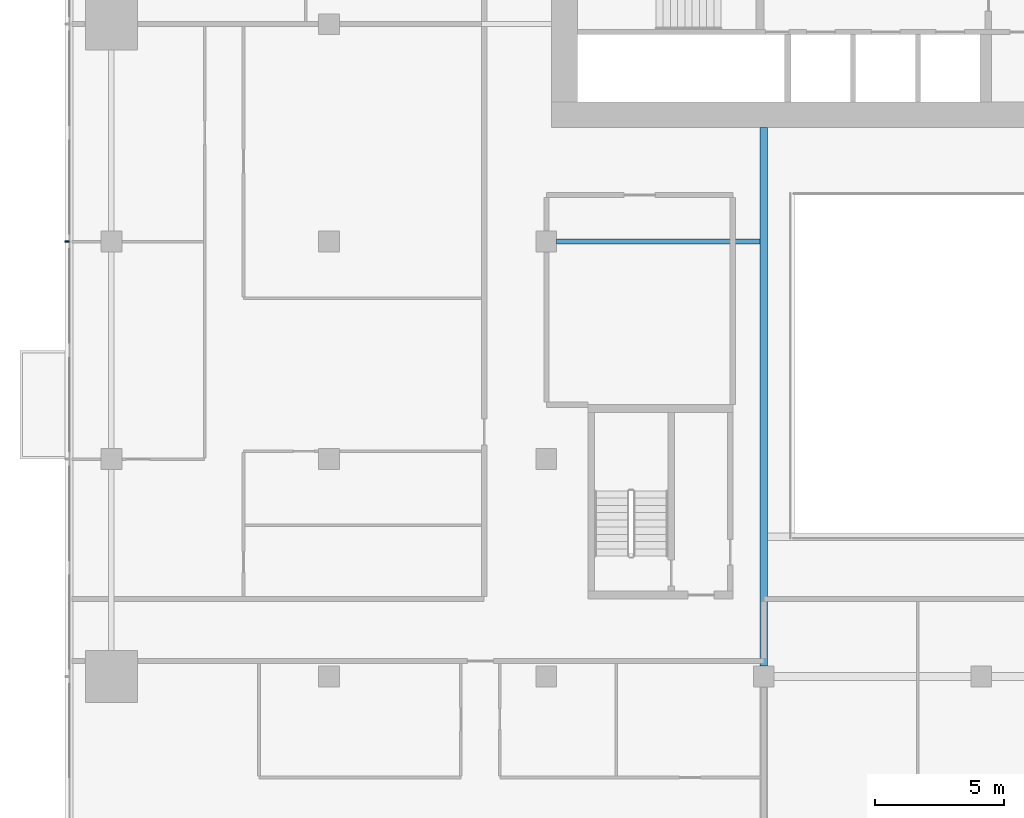
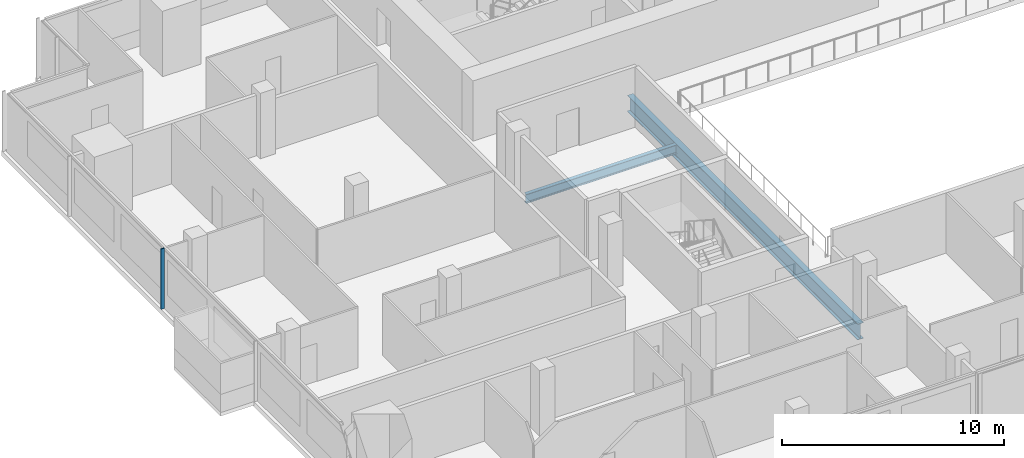
# One storey, part 4 of 27: 2 beams, 1 member, 1 element without a shape of its own.
"""IFC4 building model written with IfcOpenShell, lengths in metres."""

import ifcopenshell
import ifcopenshell.guid

model = None  # the IFC model being written
_history = None  # IfcOwnerHistory: only IFC2X3 demands one
_inside = {}  # id of a spatial element -> (the spatial element, [elements in it])
_under = {}  # id of a project, library or spatial element -> (it, [spatial elements below it])
_declared = {}  # id of a project -> (the project, [libraries it declares])
_typed = {}  # id of a type object -> (the type object, [elements of that type])
_made_of = {}  # id of a material, layer set ... -> (it, [elements and type objects made of it])


def new_model(schema):
    """Start an empty IFC model of exactly this schema.

    Asked for "IFC4X3", IfcOpenShell would pick the latest addendum, in which some entities
    have other attributes; the version numbers below select the first issue.
    IFC2X3 requires an IfcOwnerHistory on every rooted entity: one is made here for all.
    """
    global model, _history
    if schema == "IFC4X3":
        model = ifcopenshell.file(schema_version=(4, 3, 0, 0))
    else:
        model = ifcopenshell.file(schema=schema)
    _inside.clear()
    _under.clear()
    _declared.clear()
    _typed.clear()
    _made_of.clear()
    _history = None
    if model.schema == "IFC2X3":
        org = make("IfcOrganization", Name="unknown")
        user = make(
            "IfcPersonAndOrganization",
            ThePerson=make("IfcPerson", FamilyName="unknown"),
            TheOrganization=org,
        )
        app = make(
            "IfcApplication",
            ApplicationDeveloper=org,
            Version="unknown",
            ApplicationFullName="unknown",
            ApplicationIdentifier="unknown",
        )
        _history = make(
            "IfcOwnerHistory",
            OwningUser=user,
            OwningApplication=app,
            ChangeAction="ADDED",
            CreationDate=0,
        )
    return model


def make(cls, **values):
    """One entity of the class cls with the attributes given. An attribute that is None is left unset."""
    return model.create_entity(
        cls, **{name: value for name, value in values.items() if value is not None}
    )


def rooted(cls, **values):
    """An entity with a GlobalId (a new one), such as an element, a storey or a relation."""
    return make(cls, GlobalId=ifcopenshell.guid.new(), OwnerHistory=_history, **values)


def si_unit(unit_type, name, prefix=None):
    """IfcSIUnit, for example si_unit("LENGTHUNIT", "METRE", prefix="MILLI")."""
    return make("IfcSIUnit", UnitType=unit_type, Prefix=prefix, Name=name)


def assignment(units):
    """IfcUnitAssignment: the units of a project."""
    return None if units is None else make("IfcUnitAssignment", Units=units)


def point(xyz):
    """IfcCartesianPoint."""
    return None if xyz is None else make("IfcCartesianPoint", Coordinates=xyz)


def direction(xyz):
    """IfcDirection."""
    return None if xyz is None else make("IfcDirection", DirectionRatios=xyz)


def frame(location, z_axis=None, x_axis=None):
    """IfcAxis2Placement3D, a coordinate frame: its origin and axes. An axis left out is left unset."""
    return make(
        "IfcAxis2Placement3D",
        Location=point(location),
        Axis=direction(z_axis),
        RefDirection=direction(x_axis),
    )


def frame_2d(location, x_axis=None):
    """IfcAxis2Placement2D, a coordinate frame in the plane: its origin and x axis."""
    return make(
        "IfcAxis2Placement2D", Location=point(location), RefDirection=direction(x_axis)
    )


def origin():
    """The frame at (0, 0, 0) with its axes left unset."""
    return frame((0.0, 0.0, 0.0))


def origin_2d():
    """The frame at (0, 0) in the plane with its x axis left unset."""
    return frame_2d((0.0, 0.0))


def place(relative_to, where):
    """IfcLocalPlacement: puts the frame where relative to a parent placement (None: the world)."""
    return make(
        "IfcLocalPlacement", PlacementRelTo=relative_to, RelativePlacement=where
    )


def context(
    kind, dimensions, precision=None, world=None, true_north=None, identifier=None
):
    """IfcGeometricRepresentationContext, for example the 3D "Model" context."""
    return make(
        "IfcGeometricRepresentationContext",
        ContextIdentifier=identifier,
        ContextType=kind,
        CoordinateSpaceDimension=dimensions,
        Precision=precision,
        WorldCoordinateSystem=world,
        TrueNorth=true_north,
    )


def subcontext(parent, identifier, kind, view, scale=None):
    """IfcGeometricRepresentationSubContext, for example "Body" below "Model"."""
    return make(
        "IfcGeometricRepresentationSubContext",
        ContextIdentifier=identifier,
        ContextType=kind,
        ParentContext=parent,
        TargetScale=scale,
        TargetView=view,
    )


def project(units=None, contexts=None):
    """IfcProject with its units and contexts."""
    return rooted(
        "IfcProject",
        Name="project",
        RepresentationContexts=contexts,
        UnitsInContext=assignment(units),
    )


def spatial(cls, under=None, at=None, **own):
    """A site, building, storey or space (cls), placed at a placement, below another one or the project."""
    s = rooted(cls, ObjectPlacement=at, **own)
    if under is not None:
        _under.setdefault(under.id(), (under, []))[1].append(s)
    return s


def profile(cls, at=None, kind="AREA", **sizes):
    """A parametric profile (cls). Its sizes go by their IFC names, for example OverallWidth=200.0."""
    return make(cls, ProfileType=kind, Position=at, **sizes)


def rectangle(**sizes):
    """IfcRectangleProfileDef."""
    return profile("IfcRectangleProfileDef", **sizes)


def i_section(**sizes):
    """IfcIShapeProfileDef."""
    return profile("IfcIShapeProfileDef", **sizes)


def extrude(swept, where, along, depth):
    """IfcExtrudedAreaSolid: the profile swept, set in the frame where, extruded along a direction by depth."""
    return make(
        "IfcExtrudedAreaSolid",
        SweptArea=swept,
        Position=where,
        ExtrudedDirection=direction(along),
        Depth=depth,
    )


def shape(context_of_items, identifier, shape_type, items):
    """IfcShapeRepresentation: the items that make up one representation, for example the "Body"."""
    return make(
        "IfcShapeRepresentation",
        ContextOfItems=context_of_items,
        RepresentationIdentifier=identifier,
        RepresentationType=shape_type,
        Items=items,
    )


def material(Name=None, Category=None):
    """IfcMaterial."""
    return make("IfcMaterial", Name=Name, Category=Category)


def material_profile(
    of_material, cross_section, Name=None, Category=None, Priority=None
):
    """IfcMaterialProfile: a cross section and its material."""
    return make(
        "IfcMaterialProfile",
        Name=Name,
        Material=of_material,
        Profile=cross_section,
        Priority=Priority,
        Category=Category,
    )


def profile_set(profiles, Name=None, composite=None):
    """IfcMaterialProfileSet."""
    return make(
        "IfcMaterialProfileSet",
        Name=Name,
        MaterialProfiles=profiles,
        CompositeProfile=composite,
    )


def made_of(thing, what):
    """Note that an element or type object is made of a material, layer set ...; save() writes the relation."""
    if what is not None:
        _made_of.setdefault(what.id(), (what, []))[1].append(thing)
    return thing


def type_object(cls, material=None, **own):
    """A type object (cls), such as IfcWallType, which elements share."""
    return made_of(rooted(cls, **own), material)


def element(
    cls,
    number,
    at=None,
    inside=None,
    cuts=None,
    type_object=None,
    material=None,
    context=None,
    identifier="Body",
    shape_type=None,
    held_by="IfcProductDefinitionShape",
    body=None,
    shapes=None,
    **own,
):
    """One element of the class cls, such as IfcWall. Its Tag is "e" and its number.

    at: its placement. inside: the storey or other place that contains it. cuts: it is an
    opening in that element (IfcRelVoidsElement). A single representation is given by context,
    identifier, shape_type and body (its items); several are given by shapes. held_by: the class
    of the entity that holds the representations. save() writes the other relations.
    """
    e = rooted(cls, Tag="e%d" % number, ObjectPlacement=at, **own)
    if body is not None:
        shapes = [shape(context, identifier, shape_type, body)]
    if shapes is not None:
        e.Representation = make(held_by, Representations=shapes)
    if inside is not None:
        _inside.setdefault(inside.id(), (inside, []))[1].append(e)
    if cuts is not None:
        rooted(
            "IfcRelVoidsElement", RelatingBuildingElement=cuts, RelatedOpeningElement=e
        )
    if type_object is not None:
        _typed.setdefault(type_object.id(), (type_object, []))[1].append(e)
    return made_of(e, material)


def aggregate(whole, parts):
    """IfcRelAggregates: a whole, such as a stair, and the parts it consists of."""
    return rooted("IfcRelAggregates", RelatingObject=whole, RelatedObjects=parts)


def save(model, path):
    """Write the relations noted so far, then the file.

    IfcRelAggregates (storeys below a building ...), IfcRelContainedInSpatialStructure (elements
    in a storey), IfcRelDefinesByType, IfcRelAssociatesMaterial and IfcRelDeclares: one each for
    every whole, place, type object, material and project.
    """
    for whole, parts in _under.values():
        aggregate(whole, parts)
    for where, things in _inside.values():
        rooted(
            "IfcRelContainedInSpatialStructure",
            RelatedElements=things,
            RelatingStructure=where,
        )
    for kind, things in _typed.values():
        rooted("IfcRelDefinesByType", RelatedObjects=things, RelatingType=kind)
    for what, things in _made_of.values():
        rooted("IfcRelAssociatesMaterial", RelatedObjects=things, RelatingMaterial=what)
    for by, libraries in _declared.values():
        rooted("IfcRelDeclares", RelatingContext=by, RelatedDefinitions=libraries)
    model.write(path)


model = new_model("IFC4")

# Units and contexts
model_context = context("Model", 3, precision=1e-05, world=origin(), true_north=direction((0.0, 1.0)))
body_context = subcontext(model_context, "Body", "Model", "MODEL_VIEW")
ifc_project = project(units=[si_unit("LENGTHUNIT", "METRE"), si_unit("AREAUNIT", "SQUARE_METRE"), si_unit("VOLUMEUNIT", "CUBIC_METRE"), si_unit("PLANEANGLEUNIT", "RADIAN"), si_unit("MASSUNIT", "GRAM", prefix="KILO")], contexts=[model_context])

# Site, building, storey
site_placement = place(None, origin())
site = spatial("IfcSite", under=ifc_project, at=site_placement, CompositionType="ELEMENT")
building_placement = place(site_placement, origin())
building = spatial("IfcBuilding", under=site, at=building_placement, Name="Saffron Gate Tower", CompositionType="ELEMENT")
storey_placement = place(building_placement, frame((0.0, 0.0, 124.050048828125)))
storey = spatial("IfcBuildingStorey", under=building, at=storey_placement, Name="L29", CompositionType="ELEMENT", Elevation=124.050048828125)

# Beams
ifc_material_1 = material(Name="Structural steel S355", Category="steel")
ifc_material_profile_1 = material_profile(ifc_material_1, i_section(OverallWidth=0.199951171875, OverallDepth=0.5, WebThickness=0.01025390625, FlangeThickness=0.01611328125, FilletRadius=0.02099609375, at=origin_2d()))
ifc_profile_set_1 = profile_set([ifc_material_profile_1], Name="Structural steel S355")
beam_type_1 = type_object("IfcBeamType", Name="B10 IPE 500", PredefinedType="BEAM", material=ifc_profile_set_1)
beam_1_placement = place(storey_placement, frame((67.0, 57.0, -0.530029296875), z_axis=(1.0, 0.0, 0.0), x_axis=(0.0, 1.0, 0.0)))
element("IfcBeam", 1, at=beam_1_placement, inside=storey, type_object=beam_type_1, Name="B10 CORE TIE BEAM", PredefinedType="BEAM", context=body_context, shape_type="SweptSolid", body=[
    extrude(i_section(OverallWidth=0.199951171875, OverallDepth=0.5, WebThickness=0.01025390625, FlangeThickness=0.01611328125, FilletRadius=0.02099609375, at=origin_2d()), origin(), (0.0, 0.0, 1.0), 7.85009765625),
])
ifc_material_profile_2 = material_profile(ifc_material_1, i_section(OverallWidth=0.300048828125, OverallDepth=0.889892578125, WebThickness=0.01611328125, FlangeThickness=0.030029296875, FilletRadius=0.030029296875, at=origin_2d()))
ifc_profile_set_2 = profile_set([ifc_material_profile_2], Name="Structural steel S355")
beam_type_2 = type_object("IfcBeamType", Name="B19 HEA 900", PredefinedType="BEAM", material=ifc_profile_set_2)
beam_2_placement = place(storey_placement, frame((75.0, 40.60009765625, -0.72509765625), z_axis=(0.0, 1.0, 0.0), x_axis=(-1.0, 0.0, 0.0)))
element("IfcBeam", 2, at=beam_2_placement, inside=storey, type_object=beam_type_2, Name="B19 ATRIUM GIRDER", PredefinedType="BEAM", context=body_context, shape_type="SweptSolid", body=[
    extrude(i_section(OverallWidth=0.300048828125, OverallDepth=0.889892578125, WebThickness=0.01611328125, FlangeThickness=0.030029296875, FilletRadius=0.030029296875, at=origin_2d()), origin(), (0.0, 0.0, 1.0), 20.7998046875),
])

# Curtain wall, member
ifc_material_2 = material(Name="Aluminium, bronze anodised", Category="aluminium")
curtain_wall_type = type_object("IfcCurtainWallType", Name="CWS2 curtain wall side facades", PredefinedType="NOTDEFINED", material=ifc_material_2)
curtain_wall_placement = place(storey_placement, origin())
curtain_wall = element("IfcCurtainWall", 3, at=curtain_wall_placement, inside=storey, type_object=curtain_wall_type, Name="CWS2 run 10", PredefinedType="NOTDEFINED")
ifc_material_profile_3 = material_profile(ifc_material_2, rectangle(XDim=0.159912109375, YDim=0.06005859375, at=origin_2d()))
ifc_profile_set_3 = profile_set([ifc_material_profile_3], Name="Aluminium, bronze anodised")
member_type = type_object("IfcMemberType", Name="CWS2 mullion 60x160", PredefinedType="MULLION", material=ifc_profile_set_3)
member_placement = place(storey_placement, frame((48.080078125, 57.0, 0.0), z_axis=(0.0, 0.0, 1.0), x_axis=(1.0, 0.0, 0.0)))
member = element("IfcMember", 4, at=member_placement, type_object=member_type, Name="CWS2 mullion 3", PredefinedType="MULLION", context=body_context, shape_type="SweptSolid", body=[
    extrude(rectangle(XDim=0.159912109375, YDim=0.06005859375, at=origin_2d()), origin(), (0.0, 0.0, 1.0), 3.320068359375),
])
aggregate(curtain_wall, [member])

save(model, "model.ifc")
